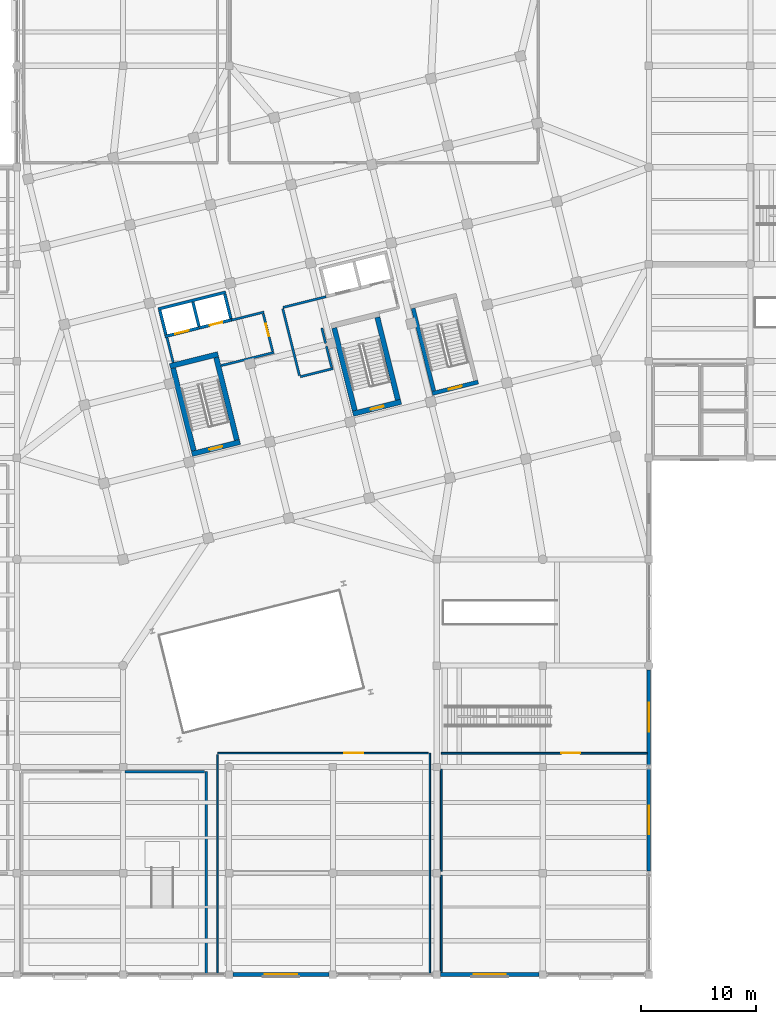
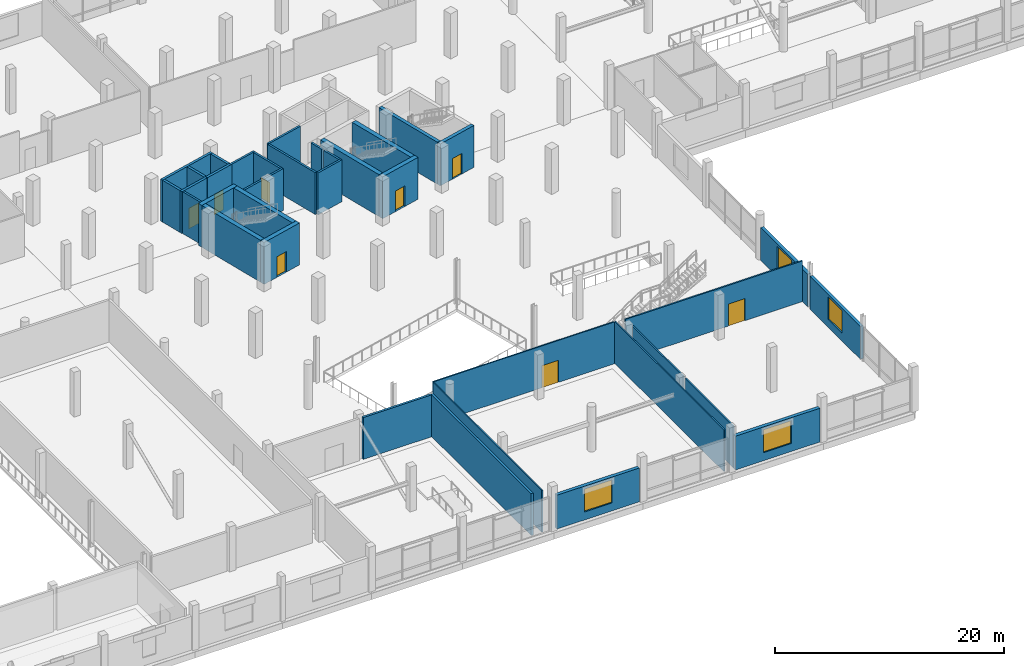
# One storey, part 58 of 71: 36 walls, 8 doors, 4 windows, 12 openings.
"""IFC4 building model written with IfcOpenShell, lengths in metres."""

from ifc_helpers import new_model, si_unit, direction, frame, frame_2d, origin, place, context, subcontext, project, spatial, rectangle, extrude, material, layer, layer_set, type_object, element, fill, save


model = new_model("IFC4")

# Units and contexts
model_context = context("Model", 3, precision=1e-05, world=origin(), true_north=direction((0.0, 1.0)))
body_context = subcontext(model_context, "Body", "Model", "MODEL_VIEW")
ifc_project = project(units=[si_unit("LENGTHUNIT", "METRE"), si_unit("AREAUNIT", "SQUARE_METRE"), si_unit("VOLUMEUNIT", "CUBIC_METRE"), si_unit("PLANEANGLEUNIT", "RADIAN"), si_unit("MASSUNIT", "GRAM", prefix="KILO")], contexts=[model_context])

# Site, building, storey
site_placement = place(None, origin())
site = spatial("IfcSite", under=ifc_project, at=site_placement, CompositionType="ELEMENT")
building_placement = place(site_placement, origin())
building = spatial("IfcBuilding", under=site, at=building_placement, Name="Meriwether Solvik Hall", CompositionType="ELEMENT")
storey_placement = place(building_placement, frame((0.0, 0.0, 5.10009765625)))
storey = spatial("IfcBuildingStorey", under=building, at=storey_placement, Name="L01", CompositionType="ELEMENT", Elevation=5.10009765625)

# Walls
ifc_material_1 = material(Name="Acoustic Mineral-Wool Double Gypsum Board", Category="gypsum")
ifc_layer_1 = layer(ifc_material_1, 0.219970703125)
ifc_layer_set_1 = layer_set([ifc_layer_1], Name="Acoustic Mineral-Wool Double Gypsum Board")
wall_type_1 = type_object("IfcWallType", Name="WALL-ACST-220", PredefinedType="PARTITIONING", material=ifc_layer_set_1)
wall_1_placement = place(storey_placement, frame((75.800048828125, 5.300048828125, 0.0), z_axis=(0.0, 0.0, 1.0), x_axis=(0.0, 1.0, 0.0)))
element("IfcWall", 1, at=wall_1_placement, inside=storey, type_object=wall_type_1, Name="L01 Interior Partition rehearsal_e", PredefinedType="PARTITIONING", context=body_context, shape_type="SweptSolid", body=[
    extrude(rectangle(XDim=17.5, YDim=0.219970703125, at=frame_2d((8.75, 0.0))), origin(), (0.0, 0.0, 1.0), 4.469970703125),
])
wall_2_placement = place(storey_placement, frame((68.780517578125, 22.800048828125, 0.0), z_axis=(0.0, 0.0, 1.0), x_axis=(1.0, 0.0, 0.0)))
element("IfcWall", 2, at=wall_2_placement, inside=storey, type_object=wall_type_1, Name="L01 Interior Partition rehearsal_n_s2", PredefinedType="PARTITIONING", context=body_context, shape_type="SweptSolid", body=[
    extrude(rectangle(XDim=6.8994140625, YDim=0.219970703125, at=frame_2d((3.44970703125, 0.0))), origin(), (0.0, 0.0, 1.0), 4.469970703125),
])

# Wall, opening, window
ifc_material_2 = material(Name="Concrete C40/50 Precast", Category="concrete")
ifc_layer_2 = layer(ifc_material_2, 0.31494140625)
ifc_layer_set_2 = layer_set([ifc_layer_2], Name="Concrete C40/50 Precast")
wall_type_2 = type_object("IfcWallType", Name="WALL-EXT-315", PredefinedType="SOLIDWALL", material=ifc_layer_set_2)
wall_3_placement = place(storey_placement, frame((114.199951171875, 23.010009765625, 0.0), z_axis=(0.0, 0.0, 1.0), x_axis=(0.0, -1.0, 0.0)))
wall_3 = element("IfcWall", 3, at=wall_3_placement, inside=storey, type_object=wall_type_2, Name="L01 E Wing Facade Wall Y13_2_50", PredefinedType="SOLIDWALL", context=body_context, shape_type="SweptSolid", body=[
    extrude(rectangle(XDim=8.820068359375, YDim=0.31494140625, at=frame_2d((4.41015625, 0.0))), origin(), (0.0, 0.0, 1.0), 3.5),
])
opening_1_placement = place(wall_3_placement, frame((3.159912109375, 0.0, 0.85009765625)))
opening_1 = element("IfcOpeningElement", 4, at=opening_1_placement, cuts=wall_3, Name="Opening WN-144", PredefinedType="OPENING", context=body_context, shape_type="SweptSolid", body=[
    extrude(rectangle(XDim=2.5, YDim=2.39990234375, at=frame_2d((1.25, 1.199951171875))), frame((0.0, 0.16943359375, 0.0), z_axis=(0.0, -1.0, 0.0), x_axis=(1.0, 0.0, 0.0)), (0.0, 0.0, 1.0), 0.3388671875),
])
ifc_material_3 = material(Name="Thermally Broken Anodised Aluminium and Triple Low-E Glass", Category="aluminium")
window_type_1 = type_object("IfcWindowType", Name="WIN-POD-EAST-250X240", PartitioningType="SINGLE_PANEL", PredefinedType="WINDOW", material=ifc_material_3)
window_1_placement = place(opening_1_placement, origin())
window_1 = element("IfcWindow", 5, at=window_1_placement, inside=storey, type_object=window_type_1, Name="L01 E Window Y13_2_50", OverallHeight=2.39990234375, OverallWidth=2.5, PartitioningType="SINGLE_PANEL", PredefinedType="WINDOW", context=body_context, shape_type="SweptSolid", body=[
    extrude(rectangle(XDim=2.5, YDim=2.39990234375, at=frame_2d((1.25, 1.199951171875))), frame((0.0, 0.030029296875, 0.0), z_axis=(0.0, -1.0, 0.0), x_axis=(1.0, 0.0, 0.0)), (0.0, 0.0, 1.0), 0.06005859375),
])
fill(opening_1, window_1)

wall_4_placement = place(storey_placement, frame((114.199951171875, 31.613037109375, 0.0), z_axis=(0.0, 0.0, 1.0), x_axis=(0.0, -1.0, 0.0)))
wall_4 = element("IfcWall", 6, at=wall_4_placement, inside=storey, type_object=wall_type_2, Name="L01 E Wing Facade Wall Y13_3_51", PredefinedType="SOLIDWALL", context=body_context, shape_type="SweptSolid", body=[
    extrude(rectangle(XDim=8.22314453125, YDim=0.31494140625, at=frame_2d((4.111572265625, 0.0))), origin(), (0.0, 0.0, 1.0), 3.5),
])
opening_2_placement = place(wall_4_placement, frame((2.861572265625, 0.0, 0.85009765625)))
opening_2 = element("IfcOpeningElement", 7, at=opening_2_placement, cuts=wall_4, Name="Opening WN-144", PredefinedType="OPENING", context=body_context, shape_type="SweptSolid", body=[
    extrude(rectangle(XDim=2.5, YDim=2.39990234375, at=frame_2d((1.25, 1.199951171875))), frame((0.0, 0.16943359375, 0.0), z_axis=(0.0, -1.0, 0.0), x_axis=(1.0, 0.0, 0.0)), (0.0, 0.0, 1.0), 0.3388671875),
])
window_2_placement = place(opening_2_placement, origin())
window_2 = element("IfcWindow", 8, at=window_2_placement, inside=storey, type_object=window_type_1, Name="L01 E Window Y13_3_51", OverallHeight=2.39990234375, OverallWidth=2.5, PartitioningType="SINGLE_PANEL", PredefinedType="WINDOW", context=body_context, shape_type="SweptSolid", body=[
    extrude(rectangle(XDim=2.5, YDim=2.39990234375, at=frame_2d((1.25, 1.199951171875))), frame((0.0, 0.030029296875, 0.0), z_axis=(0.0, -1.0, 0.0), x_axis=(1.0, 0.0, 0.0)), (0.0, 0.0, 1.0), 0.06005859375),
])
fill(opening_2, window_2)

ifc_material_4 = material(Name="Concrete C40/50 Precast", Category="concrete")
ifc_layer_3 = layer(ifc_material_4, 0.340087890625)
ifc_layer_set_3 = layer_set([ifc_layer_3], Name="Concrete C40/50 Precast")
wall_type_3 = type_object("IfcWallType", Name="WALL-EXT-340", PredefinedType="SOLIDWALL", material=ifc_layer_set_3)
wall_5_placement = place(storey_placement, frame((86.462890625, 5.199951171875, 0.0), z_axis=(0.0, 0.0, 1.0), x_axis=(-1.0, 0.0, 0.0)))
wall_5 = element("IfcWall", 9, at=wall_5_placement, inside=storey, type_object=wall_type_3, Name="L01 S Wing Facade Wall XA_9_8", PredefinedType="SOLIDWALL", context=body_context, shape_type="SweptSolid", body=[
    extrude(rectangle(XDim=8.325927734375, YDim=0.340087890625, at=frame_2d((4.1630859375, 0.0))), origin(), (0.0, 0.0, 1.0), 3.60986328125),
])
opening_3_placement = place(wall_5_placement, frame((2.762939453125, 0.0, 0.85009765625)))
opening_3 = element("IfcOpeningElement", 10, at=opening_3_placement, cuts=wall_5, Name="Opening WN-165", PredefinedType="OPENING", context=body_context, shape_type="SweptSolid", body=[
    extrude(rectangle(XDim=2.800048828125, YDim=2.449951171875, at=frame_2d((1.39990234375, 1.22509765625))), frame((0.0, 0.18212890625, 0.0), z_axis=(0.0, -1.0, 0.0), x_axis=(1.0, 0.0, 0.0)), (0.0, 0.0, 1.0), 0.364013671875),
])
ifc_material_5 = material(Name="Thermally Broken Anodised Aluminium and Triple Low-E Glass", Category="aluminium")
window_type_2 = type_object("IfcWindowType", Name="WIN-POD-SOUTH-280X245", PartitioningType="SINGLE_PANEL", PredefinedType="WINDOW", material=ifc_material_5)
window_3_placement = place(opening_3_placement, origin())
window_3 = element("IfcWindow", 11, at=window_3_placement, inside=storey, type_object=window_type_2, Name="L01 S Window XA_9_8", OverallHeight=2.449951171875, OverallWidth=2.800048828125, PartitioningType="SINGLE_PANEL", PredefinedType="WINDOW", context=body_context, shape_type="SweptSolid", body=[
    extrude(rectangle(XDim=2.800048828125, YDim=2.449951171875, at=frame_2d((1.39990234375, 1.22509765625))), frame((0.0, 0.030029296875, 0.0), z_axis=(0.0, -1.0, 0.0), x_axis=(1.0, 0.0, 0.0)), (0.0, 0.0, 1.0), 0.06005859375),
])
fill(opening_3, window_3)

wall_6_placement = place(storey_placement, frame((104.6630859375, 5.199951171875, 0.0), z_axis=(0.0, 0.0, 1.0), x_axis=(-1.0, 0.0, 0.0)))
wall_6 = element("IfcWall", 12, at=wall_6_placement, inside=storey, type_object=wall_type_3, Name="L01 S Wing Facade Wall XA_11_10", PredefinedType="SOLIDWALL", context=body_context, shape_type="SweptSolid", body=[
    extrude(rectangle(XDim=8.526123046875, YDim=0.340087890625, at=frame_2d((4.26318359375, 0.0))), origin(), (0.0, 0.0, 1.0), 3.60986328125),
])
opening_4_placement = place(wall_6_placement, frame((2.863037109375, 0.0, 0.85009765625)))
opening_4 = element("IfcOpeningElement", 13, at=opening_4_placement, cuts=wall_6, Name="Opening WN-165", PredefinedType="OPENING", context=body_context, shape_type="SweptSolid", body=[
    extrude(rectangle(XDim=2.800048828125, YDim=2.449951171875, at=frame_2d((1.39990234375, 1.22509765625))), frame((0.0, 0.18212890625, 0.0), z_axis=(0.0, -1.0, 0.0), x_axis=(1.0, 0.0, 0.0)), (0.0, 0.0, 1.0), 0.364013671875),
])
window_4_placement = place(opening_4_placement, origin())
window_4 = element("IfcWindow", 14, at=window_4_placement, inside=storey, type_object=window_type_2, Name="L01 S Window XA_11_10", OverallHeight=2.449951171875, OverallWidth=2.800048828125, PartitioningType="SINGLE_PANEL", PredefinedType="WINDOW", context=body_context, shape_type="SweptSolid", body=[
    extrude(rectangle(XDim=2.800048828125, YDim=2.449951171875, at=frame_2d((1.39990234375, 1.22509765625))), frame((0.0, 0.030029296875, 0.0), z_axis=(0.0, -1.0, 0.0), x_axis=(1.0, 0.0, 0.0)), (0.0, 0.0, 1.0), 0.06005859375),
])
fill(opening_4, window_4)

# Walls
ifc_material_6 = material(Name="Fire-Rated Type X Gypsum Board", Category="gypsum")
ifc_layer_4 = layer(ifc_material_6, 0.199951171875)
ifc_layer_set_4 = layer_set([ifc_layer_4], Name="Fire-Rated Type X Gypsum Board")
wall_type_4 = type_object("IfcWallType", Name="WALL-FIRE-200", PredefinedType="STANDARD", material=ifc_layer_set_4)
wall_7_placement = place(storey_placement, frame((72.94970703125, 58.269287109375, 0.0), z_axis=(0.0, 0.0, 1.0), x_axis=(-0.24194311862, 0.970290434536, 0.0)))
element("IfcWall", 15, at=wall_7_placement, inside=storey, type_object=wall_type_4, Name="L01 Interior Partition lb1_w", PredefinedType="STANDARD", context=body_context, shape_type="SweptSolid", body=[
    extrude(rectangle(XDim=2.22998046875, YDim=0.199951171875, at=frame_2d((1.114990234375, 0.0))), origin(), (0.0, 0.0, 1.0), 4.469970703125),
])
wall_8_placement = place(storey_placement, frame((77.096923828125, 58.0048828125, 0.0), z_axis=(0.0, 0.0, 1.0), x_axis=(0.970305892741, 0.241881116483, 0.0)))
element("IfcWall", 16, at=wall_8_placement, inside=storey, type_object=wall_type_4, Name="L01 Interior Partition lb1_s", PredefinedType="STANDARD", context=body_context, shape_type="SweptSolid", body=[
    extrude(rectangle(XDim=4.73974609375, YDim=0.199951171875, at=frame_2d((2.369873046875, 0.0))), origin(), (0.0, 0.0, 1.0), 4.469970703125),
])
wall_9_placement = place(storey_placement, frame((77.991943359375, 61.938232421875, 0.0), z_axis=(0.0, 0.0, 1.0), x_axis=(0.970304586447, 0.241886356621, 0.0)))
element("IfcWall", 17, at=wall_9_placement, inside=storey, type_object=wall_type_4, Name="L01 Interior Partition lb1_n_cap", PredefinedType="STANDARD", context=body_context, shape_type="SweptSolid", body=[
    extrude(rectangle(XDim=2.919921875, YDim=0.199951171875, at=frame_2d((1.4599609375, 0.0))), origin(), (0.0, 0.0, 1.0), 4.469970703125),
])

# Wall, opening, door
wall_10_placement = place(storey_placement, frame((80.75732421875, 62.50390625, 0.0), z_axis=(0.0, 0.0, 1.0), x_axis=(0.241885902723, -0.970304699599, 0.0)))
wall_10 = element("IfcWall", 18, at=wall_10_placement, inside=storey, type_object=wall_type_4, Name="L01 Interior Partition lb1_e", PredefinedType="STANDARD", context=body_context, shape_type="SweptSolid", body=[
    extrude(rectangle(XDim=3.360107421875, YDim=0.199951171875, at=frame_2d((1.68017578125, 0.0))), origin(), (0.0, 0.0, 1.0), 4.469970703125),
])
opening_5_placement = place(wall_10_placement, frame((0.889892578125, 0.0, 0.0)))
opening_5 = element("IfcOpeningElement", 19, at=opening_5_placement, cuts=wall_10, Name="Opening D-168", PredefinedType="OPENING", context=body_context, shape_type="SweptSolid", body=[
    extrude(rectangle(XDim=1.10009765625, YDim=2.199951171875, at=frame_2d((0.550048828125, 1.10009765625))), frame((0.0, 0.11181640625, 0.0), z_axis=(0.0, -1.0, 0.0), x_axis=(1.0, 0.0, 0.0)), (0.0, 0.0, 1.0), 0.223876953125),
])
ifc_material_7 = material(Name="Steel A36 Galvanised", Category="steel")
door_type_1 = type_object("IfcDoorType", Name="DR-FD60-1100L", OperationType="SINGLE_SWING_LEFT", PredefinedType="DOOR", material=ifc_material_7)
door_1_placement = place(opening_5_placement, origin())
door_1 = element("IfcDoor", 20, at=door_1_placement, inside=storey, type_object=door_type_1, Name="West FSAE Lift Lobby Door (L01)", OperationType="SINGLE_SWING_LEFT", OverallHeight=2.199951171875, OverallWidth=1.10009765625, PredefinedType="DOOR", context=body_context, shape_type="SweptSolid", body=[
    extrude(rectangle(XDim=1.10009765625, YDim=2.199951171875, at=frame_2d((0.550048828125, 1.10009765625))), frame((0.0, 0.02490234375, 0.0), z_axis=(0.0, -1.0, 0.0), x_axis=(1.0, 0.0, 0.0)), (0.0, 0.0, 1.0), 0.050048828125),
])
fill(opening_5, door_1)

# Walls
wall_11_placement = place(storey_placement, frame((82.452880859375, 62.93701171875, 0.0), z_axis=(0.0, 0.0, 1.0), x_axis=(0.241891967324, -0.970303187743, 0.0)))
element("IfcWall", 21, at=wall_11_placement, inside=storey, type_object=wall_type_4, Name="L01 Interior Partition lb2_w", PredefinedType="STANDARD", context=body_context, shape_type="SweptSolid", body=[
    extrude(rectangle(XDim=5.97998046875, YDim=0.199951171875, at=frame_2d((2.989990234375, 0.0))), origin(), (0.0, 0.0, 1.0), 4.469970703125),
])
wall_12_placement = place(storey_placement, frame((83.972412109375, 57.03955078125, 0.0), z_axis=(0.0, 0.0, 1.0), x_axis=(0.970308790931, 0.241869490102, 0.0)))
element("IfcWall", 22, at=wall_12_placement, inside=storey, type_object=wall_type_4, Name="L01 Interior Partition lb2_s_w", PredefinedType="STANDARD", context=body_context, shape_type="SweptSolid", body=[
    extrude(rectangle(XDim=2.932373046875, YDim=0.199951171875, at=frame_2d((1.46630859375, 0.0))), origin(), (0.0, 0.0, 1.0), 4.469970703125),
])
wall_13_placement = place(storey_placement, frame((86.691650390625, 57.841064453125, 0.0), z_axis=(0.0, 0.0, 1.0), x_axis=(-0.241992731984, 0.970278062035, 0.0)))
element("IfcWall", 23, at=wall_13_placement, inside=storey, type_object=wall_type_4, Name="L01 Interior Partition lb2_e_low", PredefinedType="STANDARD", context=body_context, shape_type="SweptSolid", body=[
    extrude(rectangle(XDim=1.90478515625, YDim=0.199951171875, at=frame_2d((0.952392578125, 0.0))), origin(), (0.0, 0.0, 1.0), 4.469970703125),
])
wall_14_placement = place(storey_placement, frame((86.169921875, 59.932861328125, 0.0), z_axis=(0.0, 0.0, 1.0), x_axis=(-0.241824833036, 0.970319921535, 0.0)))
element("IfcWall", 24, at=wall_14_placement, inside=storey, type_object=wall_type_4, Name="L01 Interior Partition lb2_e_low_s2", PredefinedType="STANDARD", context=body_context, shape_type="SweptSolid", body=[
    extrude(rectangle(XDim=1.3740234375, YDim=0.199951171875, at=frame_2d((0.68701171875, 0.0))), origin(), (0.0, 0.0, 1.0), 4.469970703125),
])
wall_15_placement = place(storey_placement, frame((82.47265625, 63.05517578125, 0.0), z_axis=(0.0, 0.0, 1.0), x_axis=(0.970284368558, 0.241967444366, 0.0)))
element("IfcWall", 25, at=wall_15_placement, inside=storey, type_object=wall_type_4, Name="L01 Interior Partition lb2_n_cap_w", PredefinedType="STANDARD", context=body_context, shape_type="SweptSolid", body=[
    extrude(rectangle(XDim=3.84228515625, YDim=0.199951171875, at=frame_2d((1.921142578125, 0.0))), origin(), (0.0, 0.0, 1.0), 4.469970703125),
])
ifc_material_8 = material(Name="Concrete C40/50", Category="concrete")
ifc_layer_5 = layer(ifc_material_8, 0.25)
ifc_layer_set_5 = layer_set([ifc_layer_5], Name="Concrete C40/50")
wall_type_5 = type_object("IfcWallType", Name="WALL-HOIST-250", PredefinedType="SHEAR", material=ifc_layer_set_5)
wall_16_placement = place(storey_placement, frame((77.509765625, 64.36865234375, 0.0), z_axis=(0.0, 0.0, 1.0), x_axis=(-0.970296596103, -0.241918406889, 0.0)))
element("IfcWall", 26, at=wall_16_placement, inside=storey, type_object=wall_type_5, Name="Hoistway BANK1 North Wall (L01)", PredefinedType="SHEAR", context=body_context, shape_type="SweptSolid", body=[
    extrude(rectangle(XDim=6.050048828125, YDim=0.25, at=frame_2d((3.02490234375, 0.0))), origin(), (0.0, 0.0, 1.0), 4.469970703125),
])
for number, where, z_axis, x_axis, name in (
    (27, (71.793212890625, 62.80419921875, 0.0), (0.0, 0.0, 1.0), (0.242008581424, -0.970274108959, 0.0), "Hoistway BANK1 West Wall (L01)"),
    (28, (77.948486328125, 62.09228515625, 0.0), (0.0, 0.0, 1.0), (-0.241903146974, 0.970300400641, 0.0), "Hoistway BANK1 East Wall (L01)"),
    (29, (75.18310546875, 61.402587890625, 0.0), (0.0, 0.0, 1.0), (-0.241903146974, 0.970300400641, 0.0), "Hoistway BANK1 Divider Pier (L01)"),
):
    element("IfcWall", number, at=place(storey_placement, frame(where, z_axis=z_axis, x_axis=x_axis)), inside=storey, type_object=wall_type_5, Name=name, PredefinedType="SHEAR", context=body_context, shape_type="SweptSolid", body=[
        extrude(rectangle(XDim=2.179931640625, YDim=0.25, at=frame_2d((1.08984375, 0.0))), origin(), (0.0, 0.0, 1.0), 4.469970703125),
    ])

# Wall, opening, door
wall_17_placement = place(storey_placement, frame((72.232177734375, 60.52783203125, 0.0), z_axis=(0.0, 0.0, 1.0), x_axis=(0.970296930481, 0.241917065747, 0.0)))
wall_17 = element("IfcWall", 30, at=wall_17_placement, inside=storey, type_object=wall_type_5, Name="Lift LF-01 Landing Wall (L01)", PredefinedType="SHEAR", context=body_context, shape_type="SweptSolid", body=[
    extrude(rectangle(XDim=3.06494140625, YDim=0.25, at=frame_2d((1.532470703125, 0.0))), origin(), (0.0, 0.0, 1.0), 4.469970703125),
])
opening_6_placement = place(wall_17_placement, frame((0.9326171875, 0.0, 0.0)))
opening_6 = element("IfcOpeningElement", 31, at=opening_6_placement, cuts=wall_17, Name="Opening LD-01", PredefinedType="OPENING", context=body_context, shape_type="SweptSolid", body=[
    extrude(rectangle(XDim=1.199951171875, YDim=2.199951171875, at=frame_2d((0.60009765625, 1.10009765625))), frame((0.0, 0.136962890625, 0.0), z_axis=(0.0, -1.0, 0.0), x_axis=(1.0, 0.0, 0.0)), (0.0, 0.0, 1.0), 0.27392578125),
])
ifc_material_9 = material(Name="Stainless Steel AISI 316", Category="steel")
door_type_2 = type_object("IfcDoorType", Name="DR-LIFT-FSAE", OperationType="DOUBLE_DOOR_SLIDING", PredefinedType="DOOR", material=ifc_material_9)
door_2_placement = place(opening_6_placement, origin())
door_2 = element("IfcDoor", 32, at=door_2_placement, inside=storey, type_object=door_type_2, Name="Lift Landing Door LF-01 (L01)", OperationType="DOUBLE_DOOR_SLIDING", OverallHeight=2.199951171875, OverallWidth=1.199951171875, PredefinedType="DOOR", context=body_context, shape_type="SweptSolid", body=[
    extrude(rectangle(XDim=1.199951171875, YDim=2.199951171875, at=frame_2d((0.60009765625, 1.10009765625))), frame((0.0, 0.02490234375, 0.0), z_axis=(0.0, -1.0, 0.0), x_axis=(1.0, 0.0, 0.0)), (0.0, 0.0, 1.0), 0.050048828125),
])
fill(opening_6, door_2)

wall_18_placement = place(storey_placement, frame((75.225341796875, 61.274169921875, 0.0), z_axis=(0.0, 0.0, 1.0), x_axis=(0.970297295425, 0.241915601999, 0.0)))
wall_18 = element("IfcWall", 33, at=wall_18_placement, inside=storey, type_object=wall_type_5, Name="Lift LP-01 Landing Wall (L01)", PredefinedType="SHEAR", context=body_context, shape_type="SweptSolid", body=[
    extrude(rectangle(XDim=2.965087890625, YDim=0.25, at=frame_2d((1.482421875, 0.0))), origin(), (0.0, 0.0, 1.0), 4.469970703125),
])
opening_7_placement = place(wall_18_placement, frame((0.9326171875, 0.0, 0.0)))
opening_7 = element("IfcOpeningElement", 34, at=opening_7_placement, cuts=wall_18, Name="Opening LD-03", PredefinedType="OPENING", context=body_context, shape_type="SweptSolid", body=[
    extrude(rectangle(XDim=1.10009765625, YDim=2.14990234375, at=frame_2d((0.550048828125, 1.074951171875))), frame((0.0, 0.136962890625, 0.0), z_axis=(0.0, -1.0, 0.0), x_axis=(1.0, 0.0, 0.0)), (0.0, 0.0, 1.0), 0.27392578125),
])
ifc_material_10 = material(Name="Stainless Steel AISI 316", Category="steel")
door_type_3 = type_object("IfcDoorType", Name="DR-LIFT-PASS", OperationType="DOUBLE_DOOR_SLIDING", PredefinedType="DOOR", material=ifc_material_10)
door_3_placement = place(opening_7_placement, origin())
door_3 = element("IfcDoor", 35, at=door_3_placement, inside=storey, type_object=door_type_3, Name="Lift Landing Door LP-01 (L01)", OperationType="DOUBLE_DOOR_SLIDING", OverallHeight=2.14990234375, OverallWidth=1.10009765625, PredefinedType="DOOR", context=body_context, shape_type="SweptSolid", body=[
    extrude(rectangle(XDim=1.10009765625, YDim=2.14990234375, at=frame_2d((0.550048828125, 1.074951171875))), frame((0.0, 0.02490234375, 0.0), z_axis=(0.0, -1.0, 0.0), x_axis=(1.0, 0.0, 0.0)), (0.0, 0.0, 1.0), 0.050048828125),
])
fill(opening_7, door_3)

# Wall
ifc_material_11 = material(Name="Gypsum Board Partition", Category="gypsum")
ifc_layer_6 = layer(ifc_material_11, 0.125)
ifc_layer_set_6 = layer_set([ifc_layer_6], Name="Gypsum Board Partition")
wall_type_6 = type_object("IfcWallType", Name="WALL-PART-125", PredefinedType="PARTITIONING", material=ifc_layer_set_6)
wall_19_placement = place(storey_placement, frame((95.199951171875, 5.300048828125, 0.0), z_axis=(0.0, 0.0, 1.0), x_axis=(0.0, 1.0, 0.0)))
element("IfcWall", 36, at=wall_19_placement, inside=storey, type_object=wall_type_6, Name="L01 Interior Partition prog_adm_1_e", PredefinedType="PARTITIONING", context=body_context, shape_type="SweptSolid", body=[
    extrude(rectangle(XDim=19.099853515625, YDim=0.125, at=frame_2d((9.5498046875, 0.0))), origin(), (0.0, 0.0, 1.0), 4.469970703125),
])

# Wall, opening, door
wall_20_placement = place(storey_placement, frame((95.080078125, 24.39990234375, 0.0), z_axis=(0.0, 0.0, 1.0), x_axis=(-1.0, 0.0, 0.0)))
wall_20 = element("IfcWall", 37, at=wall_20_placement, inside=storey, type_object=wall_type_6, Name="L01 Interior Partition prog_adm_1_n", PredefinedType="PARTITIONING", context=body_context, shape_type="SweptSolid", body=[
    extrude(rectangle(XDim=18.280029296875, YDim=0.125, at=frame_2d((9.14013671875, 0.0))), origin(), (0.0, 0.0, 1.0), 4.469970703125),
])
opening_8_placement = place(wall_20_placement, frame((5.646728515625, 0.0, 0.0)))
opening_8 = element("IfcOpeningElement", 38, at=opening_8_placement, cuts=wall_20, Name="Opening D-137", PredefinedType="OPENING", context=body_context, shape_type="SweptSolid", body=[
    extrude(rectangle(XDim=1.64990234375, YDim=2.35009765625, at=frame_2d((0.824951171875, 1.175048828125))), frame((0.0, 0.074462890625, 0.0), z_axis=(0.0, -1.0, 0.0), x_axis=(1.0, 0.0, 0.0)), (0.0, 0.0, 1.0), 0.14892578125),
])
ifc_material_12 = material(Name="Laminated Vision Glass and Solid White Oak Timber", Category="wood")
door_type_4 = type_object("IfcDoorType", Name="DR-INT-1650", OperationType="DOUBLE_DOOR_SINGLE_SWING", PredefinedType="DOOR", material=ifc_material_12)
door_4_placement = place(opening_8_placement, origin())
door_4 = element("IfcDoor", 39, at=door_4_placement, inside=storey, type_object=door_type_4, Name="Civic Program Administration Suite Door", OperationType="DOUBLE_DOOR_SINGLE_SWING", OverallHeight=2.35009765625, OverallWidth=1.64990234375, PredefinedType="DOOR", context=body_context, shape_type="SweptSolid", body=[
    extrude(rectangle(XDim=1.64990234375, YDim=2.35009765625, at=frame_2d((0.824951171875, 1.175048828125))), frame((0.0, 0.02490234375, 0.0), z_axis=(0.0, -1.0, 0.0), x_axis=(1.0, 0.0, 0.0)), (0.0, 0.0, 1.0), 0.050048828125),
])
fill(opening_8, door_4)

# Wall
wall_21_placement = place(storey_placement, frame((76.800048828125, 24.280029296875, 0.0), z_axis=(0.0, 0.0, 1.0), x_axis=(0.0, -1.0, 0.0)))
element("IfcWall", 40, at=wall_21_placement, inside=storey, type_object=wall_type_6, Name="L01 Interior Partition prog_adm_1_w", PredefinedType="PARTITIONING", context=body_context, shape_type="SweptSolid", body=[
    extrude(rectangle(XDim=18.97998046875, YDim=0.125, at=frame_2d((9.489990234375, 0.0))), origin(), (0.0, 0.0, 1.0), 4.469970703125),
])

# Wall, opening, door
ifc_material_13 = material(Name="Gypsum Board Partition", Category="gypsum")
ifc_layer_7 = layer(ifc_material_13, 0.14990234375)
ifc_layer_set_7 = layer_set([ifc_layer_7], Name="Gypsum Board Partition")
wall_type_7 = type_object("IfcWallType", Name="WALL-PART-150", PredefinedType="PARTITIONING", material=ifc_layer_set_7)
wall_22_placement = place(storey_placement, frame((114.050048828125, 24.39990234375, 0.0), z_axis=(0.0, 0.0, 1.0), x_axis=(-1.0, 0.0, 0.0)))
wall_22 = element("IfcWall", 41, at=wall_22_placement, inside=storey, type_object=wall_type_7, Name="L01 Interior Partition culinary_n", PredefinedType="PARTITIONING", context=body_context, shape_type="SweptSolid", body=[
    extrude(rectangle(XDim=17.85009765625, YDim=0.14990234375, at=frame_2d((8.925048828125, 0.0))), origin(), (0.0, 0.0, 1.0), 4.349853515625),
])
opening_9_placement = place(wall_22_placement, frame((5.80224609375, 0.0, 0.0)))
opening_9 = element("IfcOpeningElement", 42, at=opening_9_placement, cuts=wall_22, Name="Opening D-137", PredefinedType="OPENING", context=body_context, shape_type="SweptSolid", body=[
    extrude(rectangle(XDim=1.64990234375, YDim=2.35009765625, at=frame_2d((0.824951171875, 1.175048828125))), frame((0.0, 0.0869140625, 0.0), z_axis=(0.0, -1.0, 0.0), x_axis=(1.0, 0.0, 0.0)), (0.0, 0.0, 1.0), 0.173828125),
])
door_5_placement = place(opening_9_placement, origin())
door_5 = element("IfcDoor", 43, at=door_5_placement, inside=storey, type_object=door_type_4, Name="Culinary Maker Studio Door", OperationType="DOUBLE_DOOR_SINGLE_SWING", OverallHeight=2.35009765625, OverallWidth=1.64990234375, PredefinedType="DOOR", context=body_context, shape_type="SweptSolid", body=[
    extrude(rectangle(XDim=1.64990234375, YDim=2.35009765625, at=frame_2d((0.824951171875, 1.175048828125))), frame((0.0, 0.02490234375, 0.0), z_axis=(0.0, -1.0, 0.0), x_axis=(1.0, 0.0, 0.0)), (0.0, 0.0, 1.0), 0.050048828125),
])
fill(opening_9, door_5)

# Walls
wall_23_placement = place(storey_placement, frame((96.199951171875, 23.01953125, 0.0), z_axis=(0.0, 0.0, 1.0), x_axis=(0.0, -1.0, 0.0)))
element("IfcWall", 44, at=wall_23_placement, inside=storey, type_object=wall_type_7, Name="L01 Interior Partition culinary_w", PredefinedType="PARTITIONING", context=body_context, shape_type="SweptSolid", body=[
    extrude(rectangle(XDim=8.8388671875, YDim=0.14990234375, at=frame_2d((4.41943359375, 0.0))), origin(), (0.0, 0.0, 1.0), 4.469970703125),
])
wall_24_placement = place(storey_placement, frame((96.199951171875, 13.8193359375, 0.0), z_axis=(0.0, 0.0, 1.0), x_axis=(0.0, -1.0, 0.0)))
element("IfcWall", 45, at=wall_24_placement, inside=storey, type_object=wall_type_7, Name="L01 Interior Partition culinary_w_s2", PredefinedType="PARTITIONING", context=body_context, shape_type="SweptSolid", body=[
    extrude(rectangle(XDim=8.438720703125, YDim=0.14990234375, at=frame_2d((4.21923828125, 0.0))), origin(), (0.0, 0.0, 1.0), 4.469970703125),
])

# Wall, opening, door
ifc_material_14 = material(Name="Concrete C40/50", Category="concrete")
ifc_layer_8 = layer(ifc_material_14, 0.35009765625)
ifc_layer_set_8 = layer_set([ifc_layer_8], Name="Concrete C40/50")
wall_type_8 = type_object("IfcWallType", Name="WALL-RC-350", PredefinedType="SHEAR", material=ifc_layer_set_8)
wall_25_placement = place(storey_placement, frame((95.415283203125, 55.589599609375, 0.0), z_axis=(0.0, 0.0, 1.0), x_axis=(0.970292928015, 0.241933118535, 0.0)))
wall_25 = element("IfcWall", 46, at=wall_25_placement, inside=storey, type_object=wall_type_8, Name="CORE-3 Shear Wall S (L01)", PredefinedType="SHEAR", context=body_context, shape_type="SweptSolid", body=[
    extrude(rectangle(XDim=4.10009765625, YDim=0.35009765625, at=frame_2d((2.050048828125, 0.0))), origin(), (0.0, 0.0, 1.0), 4.469970703125),
])
opening_10_placement = place(wall_25_placement, frame((1.47509765625, 0.0, 0.0)))
opening_10 = element("IfcOpeningElement", 47, at=opening_10_placement, cuts=wall_25, Name="Opening D-148", PredefinedType="OPENING", context=body_context, shape_type="SweptSolid", body=[
    extrude(rectangle(XDim=1.14990234375, YDim=2.199951171875, at=frame_2d((0.574951171875, 1.10009765625))), frame((0.0, 0.18701171875, 0.0), z_axis=(0.0, -1.0, 0.0), x_axis=(1.0, 0.0, 0.0)), (0.0, 0.0, 1.0), 0.3740234375),
])
ifc_material_15 = material(Name="Steel A36 Galvanised", Category="steel")
door_type_5 = type_object("IfcDoorType", Name="DR-FD90-1150R", OperationType="SINGLE_SWING_RIGHT", PredefinedType="DOOR", material=ifc_material_15)
door_6_placement = place(opening_10_placement, origin())
door_6 = element("IfcDoor", 48, at=door_6_placement, inside=storey, type_object=door_type_5, Name="Stair ST-03 Smokeproof Exit Door (L01)", OperationType="SINGLE_SWING_RIGHT", OverallHeight=2.199951171875, OverallWidth=1.14990234375, PredefinedType="DOOR", context=body_context, shape_type="SweptSolid", body=[
    extrude(rectangle(XDim=1.14990234375, YDim=2.199951171875, at=frame_2d((0.574951171875, 1.10009765625))), frame((0.0, 0.02490234375, 0.0), z_axis=(0.0, -1.0, 0.0), x_axis=(1.0, 0.0, 0.0)), (0.0, 0.0, 1.0), 0.050048828125),
])
fill(opening_10, door_6)

# Wall
wall_26_placement = place(storey_placement, frame((93.755126953125, 62.97216796875, 0.0), z_axis=(0.0, 0.0, 1.0), x_axis=(0.241897280066, -0.970301863286, 0.0)))
element("IfcWall", 49, at=wall_26_placement, inside=storey, type_object=wall_type_8, Name="CORE-3 Shear Wall W (L01)", PredefinedType="SHEAR", context=body_context, shape_type="SweptSolid", body=[
    extrude(rectangle(XDim=7.3798828125, YDim=0.35009765625, at=frame_2d((3.68994140625, 0.0))), origin(), (0.0, 0.0, 1.0), 4.469970703125),
])

# Wall, opening, door
ifc_material_16 = material(Name="Concrete C45/55", Category="concrete")
ifc_layer_9 = layer(ifc_material_16, 0.449951171875)
ifc_layer_set_9 = layer_set([ifc_layer_9], Name="Concrete C45/55")
wall_type_9 = type_object("IfcWallType", Name="WALL-RC-450", PredefinedType="SHEAR", material=ifc_layer_set_9)
wall_27_placement = place(storey_placement, frame((74.566162109375, 50.33984375, 0.0), z_axis=(0.0, 0.0, 1.0), x_axis=(0.970292610647, 0.241934391361, 0.0)))
wall_27 = element("IfcWall", 50, at=wall_27_placement, inside=storey, type_object=wall_type_9, Name="CORE-1 Shear Wall S (L01)", PredefinedType="SHEAR", context=body_context, shape_type="SweptSolid", body=[
    extrude(rectangle(XDim=4.2998046875, YDim=0.449951171875, at=frame_2d((2.14990234375, 0.0))), origin(), (0.0, 0.0, 1.0), 4.469970703125),
])
opening_11_placement = place(wall_27_placement, frame((1.574951171875, 0.0, 0.0)))
opening_11 = element("IfcOpeningElement", 51, at=opening_11_placement, cuts=wall_27, Name="Opening D-189", PredefinedType="OPENING", context=body_context, shape_type="SweptSolid", body=[
    extrude(rectangle(XDim=1.14990234375, YDim=2.199951171875, at=frame_2d((0.574951171875, 1.10009765625))), frame((0.0, 0.23681640625, 0.0), z_axis=(0.0, -1.0, 0.0), x_axis=(1.0, 0.0, 0.0)), (0.0, 0.0, 1.0), 0.473876953125),
])
ifc_material_17 = material(Name="Steel A36 Galvanised", Category="steel")
door_type_6 = type_object("IfcDoorType", Name="DR-FD90-1150L", OperationType="SINGLE_SWING_LEFT", PredefinedType="DOOR", material=ifc_material_17)
door_7_placement = place(opening_11_placement, origin())
door_7 = element("IfcDoor", 52, at=door_7_placement, inside=storey, type_object=door_type_6, Name="Stair ST-01 Smokeproof Exit Door (L01)", OperationType="SINGLE_SWING_LEFT", OverallHeight=2.199951171875, OverallWidth=1.14990234375, PredefinedType="DOOR", context=body_context, shape_type="SweptSolid", body=[
    extrude(rectangle(XDim=1.14990234375, YDim=2.199951171875, at=frame_2d((0.574951171875, 1.10009765625))), frame((0.0, 0.02490234375, 0.0), z_axis=(0.0, -1.0, 0.0), x_axis=(1.0, 0.0, 0.0)), (0.0, 0.0, 1.0), 0.050048828125),
])
fill(opening_11, door_7)

# Walls
wall_28_placement = place(storey_placement, frame((76.83935546875, 58.996826171875, 0.0), z_axis=(0.0, 0.0, 1.0), x_axis=(-0.970295933763, -0.241921063415, 0.0)))
element("IfcWall", 53, at=wall_28_placement, inside=storey, type_object=wall_type_9, Name="CORE-1 Shear Wall N (L01)", PredefinedType="SHEAR", context=body_context, shape_type="SweptSolid", body=[
    extrude(rectangle(XDim=4.300048828125, YDim=0.449951171875, at=frame_2d((2.14990234375, 0.0))), origin(), (0.0, 0.0, 1.0), 4.469970703125),
])
for number, where, z_axis, x_axis, name in (
    (54, (72.942138671875, 57.782958984375, 0.0), (0.0, 0.0, 1.0), (0.241928426141, -0.970294098006, 0.0), "CORE-1 Shear Wall W (L01)"),
    (55, (78.463134765625, 51.5537109375, 0.0), (0.0, 0.0, 1.0), (-0.241928426141, 0.970294098006, 0.0), "CORE-1 Shear Wall E (L01)"),
):
    element("IfcWall", number, at=place(storey_placement, frame(where, z_axis=z_axis, x_axis=x_axis)), inside=storey, type_object=wall_type_9, Name=name, PredefinedType="SHEAR", context=body_context, shape_type="SweptSolid", body=[
        extrude(rectangle(XDim=7.3798828125, YDim=0.449951171875, at=frame_2d((3.68994140625, 0.0))), origin(), (0.0, 0.0, 1.0), 4.469970703125),
    ])

# Wall, opening, door
wall_29_placement = place(storey_placement, frame((88.538330078125, 53.823486328125, 0.0), z_axis=(0.0, 0.0, 1.0), x_axis=(0.970295933763, 0.241921063415, 0.0)))
wall_29 = element("IfcWall", 56, at=wall_29_placement, inside=storey, type_object=wall_type_9, Name="CORE-2 Shear Wall S (L01)", PredefinedType="SHEAR", context=body_context, shape_type="SweptSolid", body=[
    extrude(rectangle(XDim=4.300048828125, YDim=0.449951171875, at=frame_2d((2.14990234375, 0.0))), origin(), (0.0, 0.0, 1.0), 4.469970703125),
])
opening_12_placement = place(wall_29_placement, frame((1.574951171875, 0.0, 0.0)))
opening_12 = element("IfcOpeningElement", 57, at=opening_12_placement, cuts=wall_29, Name="Opening D-148", PredefinedType="OPENING", context=body_context, shape_type="SweptSolid", body=[
    extrude(rectangle(XDim=1.14990234375, YDim=2.199951171875, at=frame_2d((0.574951171875, 1.10009765625))), frame((0.0, 0.23681640625, 0.0), z_axis=(0.0, -1.0, 0.0), x_axis=(1.0, 0.0, 0.0)), (0.0, 0.0, 1.0), 0.473876953125),
])
door_8_placement = place(opening_12_placement, origin())
door_8 = element("IfcDoor", 58, at=door_8_placement, inside=storey, type_object=door_type_5, Name="Stair ST-02 Smokeproof Exit Door (L01)", OperationType="SINGLE_SWING_RIGHT", OverallHeight=2.199951171875, OverallWidth=1.14990234375, PredefinedType="DOOR", context=body_context, shape_type="SweptSolid", body=[
    extrude(rectangle(XDim=1.14990234375, YDim=2.199951171875, at=frame_2d((0.574951171875, 1.10009765625))), frame((0.0, 0.02490234375, 0.0), z_axis=(0.0, -1.0, 0.0), x_axis=(1.0, 0.0, 0.0)), (0.0, 0.0, 1.0), 0.050048828125),
])
fill(opening_12, door_8)

# Walls
for number, where, z_axis, x_axis, name in (
    (59, (86.91455078125, 61.266845703125, 0.0), (0.0, 0.0, 1.0), (0.241889515465, -0.970303798976, 0.0), "CORE-2 Shear Wall W (L01)"),
    (60, (92.435546875, 55.037353515625, 0.0), (0.0, 0.0, 1.0), (-0.241920660665, 0.970296034179, 0.0), "CORE-2 Shear Wall E (L01)"),
):
    element("IfcWall", number, at=place(storey_placement, frame(where, z_axis=z_axis, x_axis=x_axis)), inside=storey, type_object=wall_type_9, Name=name, PredefinedType="SHEAR", context=body_context, shape_type="SweptSolid", body=[
        extrude(rectangle(XDim=7.380126953125, YDim=0.449951171875, at=frame_2d((3.68994140625, 0.0))), origin(), (0.0, 0.0, 1.0), 4.469970703125),
    ])

save(model, "model.ifc")
